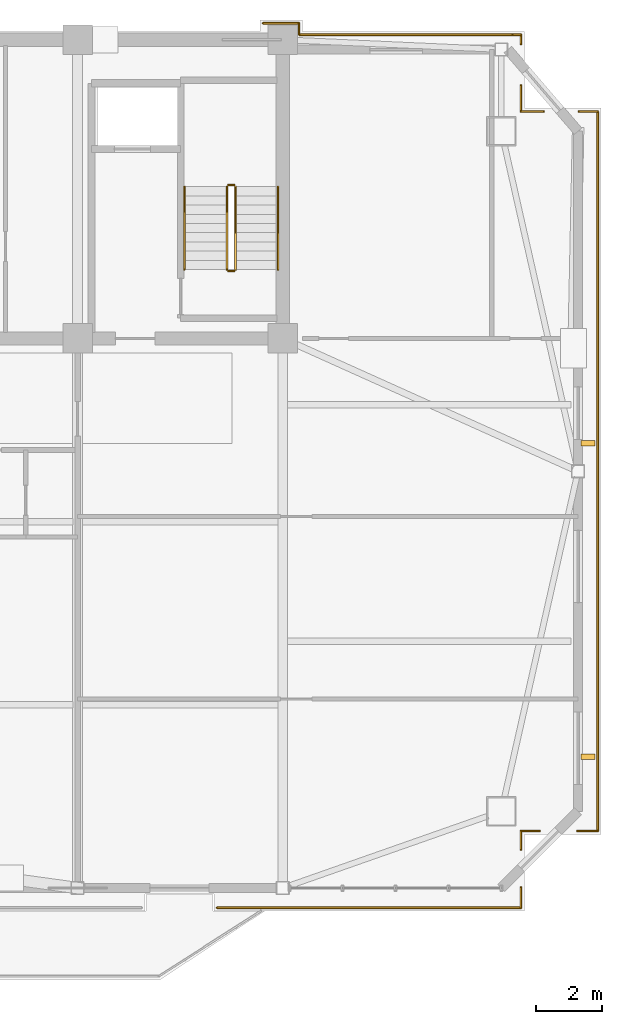
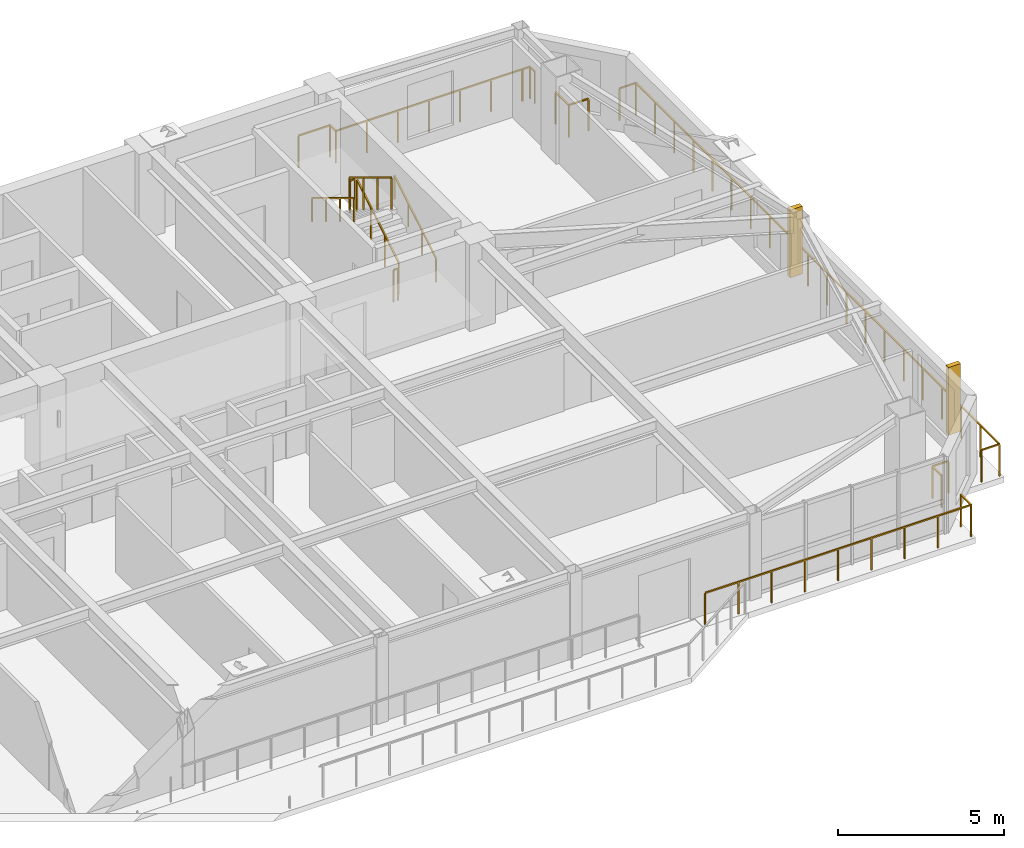
# One storey, part 14 of 14: 20 railings, 2 shading devices.
"""IFC4 building model written with IfcOpenShell, lengths in metres."""

from ifc_helpers import new_model, si_unit, direction, frame, origin, origin_2d, place, context, subcontext, project, spatial, rectangle, extrude, source, transform, mapped, material, type_object, element, save


model = new_model("IFC4")

# Units and contexts
model_context = context("Model", 3, precision=1e-05, world=origin(), true_north=direction((0.0, 1.0)))
body_context = subcontext(model_context, "Body", "Model", "MODEL_VIEW")
ifc_project = project(units=[si_unit("LENGTHUNIT", "METRE"), si_unit("AREAUNIT", "SQUARE_METRE"), si_unit("VOLUMEUNIT", "CUBIC_METRE"), si_unit("PLANEANGLEUNIT", "RADIAN"), si_unit("MASSUNIT", "GRAM", prefix="KILO")], contexts=[model_context])

# Site, building, storey
site_placement = place(None, origin())
site = spatial("IfcSite", under=ifc_project, at=site_placement, CompositionType="ELEMENT")
building_placement = place(site_placement, origin())
building = spatial("IfcBuilding", under=site, at=building_placement, Name="Giltprow Tower", CompositionType="ELEMENT")
storey_placement = place(building_placement, frame((0.0, 0.0, 314.199951171875)))
storey = spatial("IfcBuildingStorey", under=building, at=storey_placement, Name="L81", CompositionType="ELEMENT", Elevation=314.199951171875)

# Railings
ifc_material = material(Name="Anodized bronze", Category="metal")
railing_type_1 = type_object("IfcRailingType", Name="RAIL-BALC-GUARD-1200", PredefinedType="BALUSTRADE", material=ifc_material)
railing_1_placement = place(storey_placement, frame((60.14599609375, 44.362060546875, 0.0)))
element("IfcRailing", 1, at=railing_1_placement, inside=storey, type_object=railing_type_1, Name="L81 Corner Apron Edge Balustrade 1", PredefinedType="BALUSTRADE", context=body_context, shape_type="SweptSolid", body=[
    extrude(rectangle(XDim=0.048095703125, YDim=0.048095703125, at=origin_2d()), frame((0.0, 0.0, 1.17578125), z_axis=(0.0, -1.0, 0.0), x_axis=(1.0, 0.0, 0.0)), (0.0, 0.0, 1.0), 21.920166015625),
    extrude(rectangle(XDim=0.0419921875, YDim=0.0419921875, at=origin_2d()), origin(), (0.0, 0.0, 1.0), 1.15185546875),
    extrude(rectangle(XDim=0.0419921875, YDim=0.0419921875, at=origin_2d()), frame((0.0, -1.15380859375, 0.0)), (0.0, 0.0, 1.0), 1.15185546875),
    extrude(rectangle(XDim=0.0419921875, YDim=0.0419921875, at=origin_2d()), frame((0.0, -2.307373046875, 0.0)), (0.0, 0.0, 1.0), 1.15185546875),
    extrude(rectangle(XDim=0.0419921875, YDim=0.0419921875, at=origin_2d()), frame((0.0, -3.461181640625, 0.0)), (0.0, 0.0, 1.0), 1.15185546875),
    extrude(rectangle(XDim=0.0419921875, YDim=0.0419921875, at=origin_2d()), frame((0.0, -4.61474609375, 0.0)), (0.0, 0.0, 1.0), 1.15185546875),
    extrude(rectangle(XDim=0.0419921875, YDim=0.0419921875, at=origin_2d()), frame((0.0, -5.7685546875, 0.0)), (0.0, 0.0, 1.0), 1.15185546875),
    extrude(rectangle(XDim=0.0419921875, YDim=0.0419921875, at=origin_2d()), frame((0.0, -6.922119140625, 0.0)), (0.0, 0.0, 1.0), 1.15185546875),
    extrude(rectangle(XDim=0.0419921875, YDim=0.0419921875, at=origin_2d()), frame((0.0, -8.075927734375, 0.0)), (0.0, 0.0, 1.0), 1.15185546875),
    extrude(rectangle(XDim=0.0419921875, YDim=0.0419921875, at=origin_2d()), frame((0.0, -9.2294921875, 0.0)), (0.0, 0.0, 1.0), 1.15185546875),
    extrude(rectangle(XDim=0.0419921875, YDim=0.0419921875, at=origin_2d()), frame((0.0, -10.38330078125, 0.0)), (0.0, 0.0, 1.0), 1.15185546875),
    extrude(rectangle(XDim=0.0419921875, YDim=0.0419921875, at=origin_2d()), frame((0.0, -11.536865234375, 0.0)), (0.0, 0.0, 1.0), 1.15185546875),
    extrude(rectangle(XDim=0.0419921875, YDim=0.0419921875, at=origin_2d()), frame((0.0, -12.690673828125, 0.0)), (0.0, 0.0, 1.0), 1.15185546875),
    extrude(rectangle(XDim=0.0419921875, YDim=0.0419921875, at=origin_2d()), frame((0.0, -13.84423828125, 0.0)), (0.0, 0.0, 1.0), 1.15185546875),
    extrude(rectangle(XDim=0.0419921875, YDim=0.0419921875, at=origin_2d()), frame((0.0, -14.998046875, 0.0)), (0.0, 0.0, 1.0), 1.15185546875),
    extrude(rectangle(XDim=0.0419921875, YDim=0.0419921875, at=origin_2d()), frame((0.0, -16.151611328125, 0.0)), (0.0, 0.0, 1.0), 1.15185546875),
    extrude(rectangle(XDim=0.0419921875, YDim=0.0419921875, at=origin_2d()), frame((0.0, -17.305419921875, 0.0)), (0.0, 0.0, 1.0), 1.15185546875),
    extrude(rectangle(XDim=0.0419921875, YDim=0.0419921875, at=origin_2d()), frame((0.0, -18.458984375, 0.0)), (0.0, 0.0, 1.0), 1.15185546875),
    extrude(rectangle(XDim=0.0419921875, YDim=0.0419921875, at=origin_2d()), frame((0.0, -19.61279296875, 0.0)), (0.0, 0.0, 1.0), 1.15185546875),
    extrude(rectangle(XDim=0.0419921875, YDim=0.0419921875, at=origin_2d()), frame((0.0, -20.766357421875, 0.0)), (0.0, 0.0, 1.0), 1.15185546875),
    extrude(rectangle(XDim=0.0419921875, YDim=0.0419921875, at=origin_2d()), frame((0.0, -21.920166015625, 0.0)), (0.0, 0.0, 1.0), 1.15185546875),
])
railing_2_placement = place(storey_placement, frame((60.14599609375, 22.44189453125, 0.0)))
element("IfcRailing", 2, at=railing_2_placement, inside=storey, type_object=railing_type_1, Name="L81 Corner Apron Edge Balustrade 2", PredefinedType="BALUSTRADE", context=body_context, shape_type="SweptSolid", body=[
    extrude(rectangle(XDim=0.048095703125, YDim=0.048095703125, at=origin_2d()), frame((0.0, 0.0, 1.17578125), z_axis=(-1.0, 0.0, 0.0), x_axis=(0.0, -1.0, 0.0)), (0.0, 0.0, 1.0), 0.6201171875),
    extrude(rectangle(XDim=0.0419921875, YDim=0.0419921875, at=origin_2d()), origin(), (0.0, 0.0, 1.0), 1.15185546875),
    extrude(rectangle(XDim=0.0419921875, YDim=0.0419921875, at=origin_2d()), frame((-0.6201171875, 0.0, 0.0)), (0.0, 0.0, 1.0), 1.15185546875),
])
railing_3_placement = place(storey_placement, frame((58.365966796875, 22.44189453125, 0.0)))
element("IfcRailing", 3, at=railing_3_placement, inside=storey, type_object=railing_type_1, Name="L81 Corner Apron Edge Balustrade 3", PredefinedType="BALUSTRADE", context=body_context, shape_type="SweptSolid", body=[
    extrude(rectangle(XDim=0.048095703125, YDim=0.048095703125, at=origin_2d()), frame((0.0, 0.0, 1.17578125), z_axis=(-1.0, 0.0, 0.0), x_axis=(0.0, -1.0, 0.0)), (0.0, 0.0, 1.0), 0.557861328125),
    extrude(rectangle(XDim=0.0419921875, YDim=0.0419921875, at=origin_2d()), origin(), (0.0, 0.0, 1.0), 1.15185546875),
    extrude(rectangle(XDim=0.0419921875, YDim=0.0419921875, at=origin_2d()), frame((-0.557861328125, 0.0, 0.0)), (0.0, 0.0, 1.0), 1.15185546875),
])
railing_4_placement = place(storey_placement, frame((57.80810546875, 22.44189453125, 0.0)))
element("IfcRailing", 4, at=railing_4_placement, inside=storey, type_object=railing_type_1, Name="L81 Corner Apron Edge Balustrade 4", PredefinedType="BALUSTRADE", context=body_context, shape_type="SweptSolid", body=[
    extrude(rectangle(XDim=0.048095703125, YDim=0.048095703125, at=origin_2d()), frame((0.0, 0.0, 1.17578125), z_axis=(0.0, -1.0, 0.0), x_axis=(1.0, 0.0, 0.0)), (0.0, 0.0, 1.0), 0.557861328125),
    extrude(rectangle(XDim=0.0419921875, YDim=0.0419921875, at=origin_2d()), origin(), (0.0, 0.0, 1.0), 1.15185546875),
    extrude(rectangle(XDim=0.0419921875, YDim=0.0419921875, at=origin_2d()), frame((0.0, -0.557861328125, 0.0)), (0.0, 0.0, 1.0), 1.15185546875),
])
railing_5_placement = place(storey_placement, frame((57.80810546875, 20.72412109375, 0.0)))
element("IfcRailing", 5, at=railing_5_placement, inside=storey, type_object=railing_type_1, Name="L81 Corner Apron Edge Balustrade 5", PredefinedType="BALUSTRADE", context=body_context, shape_type="SweptSolid", body=[
    extrude(rectangle(XDim=0.048095703125, YDim=0.048095703125, at=origin_2d()), frame((0.0, 0.0, 1.17578125), z_axis=(0.0, -1.0, 0.0), x_axis=(1.0, 0.0, 0.0)), (0.0, 0.0, 1.0), 0.6201171875),
    extrude(rectangle(XDim=0.0419921875, YDim=0.0419921875, at=origin_2d()), origin(), (0.0, 0.0, 1.0), 1.15185546875),
    extrude(rectangle(XDim=0.0419921875, YDim=0.0419921875, at=origin_2d()), frame((0.0, -0.6201171875, 0.0)), (0.0, 0.0, 1.0), 1.15185546875),
])
railing_6_placement = place(storey_placement, frame((57.80810546875, 20.10400390625, 0.0)))
element("IfcRailing", 6, at=railing_6_placement, inside=storey, type_object=railing_type_1, Name="L81 Corner Apron Edge Balustrade 6", PredefinedType="BALUSTRADE", context=body_context, shape_type="SweptSolid", body=[
    extrude(rectangle(XDim=0.048095703125, YDim=0.048095703125, at=origin_2d()), frame((0.0, 0.0, 1.17578125), z_axis=(-1.0, 0.0, 0.0), x_axis=(0.0, -1.0, 0.0)), (0.0, 0.0, 1.0), 9.258056640625),
    extrude(rectangle(XDim=0.0419921875, YDim=0.0419921875, at=origin_2d()), origin(), (0.0, 0.0, 1.0), 1.15185546875),
    extrude(rectangle(XDim=0.0419921875, YDim=0.0419921875, at=origin_2d()), frame((-1.1572265625, 0.0, 0.0)), (0.0, 0.0, 1.0), 1.15185546875),
    extrude(rectangle(XDim=0.0419921875, YDim=0.0419921875, at=origin_2d()), frame((-2.314453125, 0.0, 0.0)), (0.0, 0.0, 1.0), 1.15185546875),
    extrude(rectangle(XDim=0.0419921875, YDim=0.0419921875, at=origin_2d()), frame((-3.4716796875, 0.0, 0.0)), (0.0, 0.0, 1.0), 1.15185546875),
    extrude(rectangle(XDim=0.0419921875, YDim=0.0419921875, at=origin_2d()), frame((-4.62890625, 0.0, 0.0)), (0.0, 0.0, 1.0), 1.15185546875),
    extrude(rectangle(XDim=0.0419921875, YDim=0.0419921875, at=origin_2d()), frame((-5.786376953125, 0.0, 0.0)), (0.0, 0.0, 1.0), 1.15185546875),
    extrude(rectangle(XDim=0.0419921875, YDim=0.0419921875, at=origin_2d()), frame((-6.943603515625, 0.0, 0.0)), (0.0, 0.0, 1.0), 1.15185546875),
    extrude(rectangle(XDim=0.0419921875, YDim=0.0419921875, at=origin_2d()), frame((-8.100830078125, 0.0, 0.0)), (0.0, 0.0, 1.0), 1.15185546875),
    extrude(rectangle(XDim=0.0419921875, YDim=0.0419921875, at=origin_2d()), frame((-9.258056640625, 0.0, 0.0)), (0.0, 0.0, 1.0), 1.15185546875),
])
railing_7_placement = place(storey_placement, frame((49.949951171875, 47.050048828125, 0.0)))
element("IfcRailing", 7, at=railing_7_placement, inside=storey, type_object=railing_type_1, Name="L81 Corner Apron Edge Balustrade 22", PredefinedType="BALUSTRADE", context=body_context, shape_type="SweptSolid", body=[
    extrude(rectangle(XDim=0.048095703125, YDim=0.048095703125, at=origin_2d()), frame((0.0, 0.0, 1.17578125), z_axis=(1.0, 0.0, 0.0), x_axis=(0.0, 1.0, 0.0)), (0.0, 0.0, 1.0), 1.10009765625),
    extrude(rectangle(XDim=0.0419921875, YDim=0.0419921875, at=origin_2d()), origin(), (0.0, 0.0, 1.0), 1.15185546875),
    extrude(rectangle(XDim=0.0419921875, YDim=0.0419921875, at=origin_2d()), frame((1.10009765625, 0.0, 0.0)), (0.0, 0.0, 1.0), 1.15185546875),
])
railing_8_placement = place(storey_placement, frame((51.050048828125, 47.050048828125, 0.0)))
element("IfcRailing", 8, at=railing_8_placement, inside=storey, type_object=railing_type_1, Name="L81 Corner Apron Edge Balustrade 23", PredefinedType="BALUSTRADE", context=body_context, shape_type="SweptSolid", body=[
    extrude(rectangle(XDim=0.048095703125, YDim=0.048095703125, at=origin_2d()), frame((0.0, 0.0, 1.17578125), z_axis=(0.0, -1.0, 0.0), x_axis=(1.0, 0.0, 0.0)), (0.0, 0.0, 1.0), 0.35009765625),
    extrude(rectangle(XDim=0.0419921875, YDim=0.0419921875, at=origin_2d()), origin(), (0.0, 0.0, 1.0), 1.15185546875),
    extrude(rectangle(XDim=0.0419921875, YDim=0.0419921875, at=origin_2d()), frame((0.0, -0.35009765625, 0.0)), (0.0, 0.0, 1.0), 1.15185546875),
])
railing_9_placement = place(storey_placement, frame((51.050048828125, 46.699951171875, 0.0)))
element("IfcRailing", 9, at=railing_9_placement, inside=storey, type_object=railing_type_1, Name="L81 Corner Apron Edge Balustrade 24", PredefinedType="BALUSTRADE", context=body_context, shape_type="SweptSolid", body=[
    extrude(rectangle(XDim=0.048095703125, YDim=0.048095703125, at=origin_2d()), frame((0.0, 0.0, 1.17578125), z_axis=(1.0, 0.0, 0.0), x_axis=(0.0, 1.0, 0.0)), (0.0, 0.0, 1.0), 6.48291015625),
    extrude(rectangle(XDim=0.0419921875, YDim=0.0419921875, at=origin_2d()), origin(), (0.0, 0.0, 1.0), 1.15185546875),
    extrude(rectangle(XDim=0.0419921875, YDim=0.0419921875, at=origin_2d()), frame((1.08056640625, 0.0, 0.0)), (0.0, 0.0, 1.0), 1.15185546875),
    extrude(rectangle(XDim=0.0419921875, YDim=0.0419921875, at=origin_2d()), frame((2.160888671875, 0.0, 0.0)), (0.0, 0.0, 1.0), 1.15185546875),
    extrude(rectangle(XDim=0.0419921875, YDim=0.0419921875, at=origin_2d()), frame((3.241455078125, 0.0, 0.0)), (0.0, 0.0, 1.0), 1.15185546875),
    extrude(rectangle(XDim=0.0419921875, YDim=0.0419921875, at=origin_2d()), frame((4.322021484375, 0.0, 0.0)), (0.0, 0.0, 1.0), 1.15185546875),
    extrude(rectangle(XDim=0.0419921875, YDim=0.0419921875, at=origin_2d()), frame((5.40234375, 0.0, 0.0)), (0.0, 0.0, 1.0), 1.15185546875),
    extrude(rectangle(XDim=0.0419921875, YDim=0.0419921875, at=origin_2d()), frame((6.48291015625, 0.0, 0.0)), (0.0, 0.0, 1.0), 1.15185546875),
])
railing_10_placement = place(storey_placement, frame((57.56201171875, 46.699951171875, 0.0)))
element("IfcRailing", 10, at=railing_10_placement, inside=storey, type_object=railing_type_1, Name="L81 Corner Apron Edge Balustrade 25", PredefinedType="BALUSTRADE", context=body_context, shape_type="SweptSolid", body=[
    extrude(rectangle(XDim=0.048095703125, YDim=0.048095703125, at=origin_2d()), frame((0.0, 0.0, 1.17578125), z_axis=(1.0, 0.0, 0.0), x_axis=(0.0, 1.0, 0.0)), (0.0, 0.0, 1.0), 0.24609375),
    extrude(rectangle(XDim=0.0419921875, YDim=0.0419921875, at=origin_2d()), origin(), (0.0, 0.0, 1.0), 1.15185546875),
    extrude(rectangle(XDim=0.0419921875, YDim=0.0419921875, at=origin_2d()), frame((0.24609375, 0.0, 0.0)), (0.0, 0.0, 1.0), 1.15185546875),
])
railing_11_placement = place(storey_placement, frame((57.80810546875, 46.699951171875, 0.0)))
element("IfcRailing", 11, at=railing_11_placement, inside=storey, type_object=railing_type_1, Name="L81 Corner Apron Edge Balustrade 26", PredefinedType="BALUSTRADE", context=body_context, shape_type="SweptSolid", body=[
    extrude(rectangle(XDim=0.048095703125, YDim=0.048095703125, at=origin_2d()), frame((0.0, 0.0, 1.17578125), z_axis=(0.0, -1.0, 0.0), x_axis=(1.0, 0.0, 0.0)), (0.0, 0.0, 1.0), 0.285888671875),
    extrude(rectangle(XDim=0.0419921875, YDim=0.0419921875, at=origin_2d()), origin(), (0.0, 0.0, 1.0), 1.15185546875),
    extrude(rectangle(XDim=0.0419921875, YDim=0.0419921875, at=origin_2d()), frame((0.0, -0.285888671875, 0.0)), (0.0, 0.0, 1.0), 1.15185546875),
])
railing_12_placement = place(storey_placement, frame((57.80810546875, 45.155029296875, 0.0)))
element("IfcRailing", 12, at=railing_12_placement, inside=storey, type_object=railing_type_1, Name="L81 Corner Apron Edge Balustrade 27", PredefinedType="BALUSTRADE", context=body_context, shape_type="SweptSolid", body=[
    extrude(rectangle(XDim=0.048095703125, YDim=0.048095703125, at=origin_2d()), frame((0.0, 0.0, 1.17578125), z_axis=(0.0, -1.0, 0.0), x_axis=(1.0, 0.0, 0.0)), (0.0, 0.0, 1.0), 0.79296875),
    extrude(rectangle(XDim=0.0419921875, YDim=0.0419921875, at=origin_2d()), origin(), (0.0, 0.0, 1.0), 1.15185546875),
    extrude(rectangle(XDim=0.0419921875, YDim=0.0419921875, at=origin_2d()), frame((0.0, -0.79296875, 0.0)), (0.0, 0.0, 1.0), 1.15185546875),
])
railing_13_placement = place(storey_placement, frame((57.80810546875, 44.362060546875, 0.0)))
element("IfcRailing", 13, at=railing_13_placement, inside=storey, type_object=railing_type_1, Name="L81 Corner Apron Edge Balustrade 28", PredefinedType="BALUSTRADE", context=body_context, shape_type="SweptSolid", body=[
    extrude(rectangle(XDim=0.048095703125, YDim=0.048095703125, at=origin_2d()), frame((0.0, 0.0, 1.17578125), z_axis=(1.0, 0.0, 0.0), x_axis=(0.0, 1.0, 0.0)), (0.0, 0.0, 1.0), 0.681884765625),
    extrude(rectangle(XDim=0.0419921875, YDim=0.0419921875, at=origin_2d()), origin(), (0.0, 0.0, 1.0), 1.15185546875),
    extrude(rectangle(XDim=0.0419921875, YDim=0.0419921875, at=origin_2d()), frame((0.681884765625, 0.0, 0.0)), (0.0, 0.0, 1.0), 1.15185546875),
])
railing_14_placement = place(storey_placement, frame((59.571044921875, 44.362060546875, 0.0)))
element("IfcRailing", 14, at=railing_14_placement, inside=storey, type_object=railing_type_1, Name="L81 Corner Apron Edge Balustrade 29", PredefinedType="BALUSTRADE", context=body_context, shape_type="SweptSolid", body=[
    extrude(rectangle(XDim=0.048095703125, YDim=0.048095703125, at=origin_2d()), frame((0.0, 0.0, 1.17578125), z_axis=(1.0, 0.0, 0.0), x_axis=(0.0, 1.0, 0.0)), (0.0, 0.0, 1.0), 0.574951171875),
    extrude(rectangle(XDim=0.0419921875, YDim=0.0419921875, at=origin_2d()), origin(), (0.0, 0.0, 1.0), 1.15185546875),
    extrude(rectangle(XDim=0.0419921875, YDim=0.0419921875, at=origin_2d()), frame((0.574951171875, 0.0, 0.0)), (0.0, 0.0, 1.0), 1.15185546875),
])
railing_type_2 = type_object("IfcRailingType", Name="RAIL-STAIR-GUARD-1200", PredefinedType="GUARDRAIL", material=ifc_material)
railing_15_placement = place(storey_placement, frame((49.110107421875, 39.550048828125, 0.170166015625)))
element("IfcRailing", 15, at=railing_15_placement, inside=storey, type_object=railing_type_2, Name="L81 ST-3 stair guard 1", PredefinedType="GUARDRAIL", context=body_context, shape_type="SweptSolid", body=[
    extrude(rectangle(XDim=0.048095703125, YDim=0.048095703125, at=origin_2d()), frame((0.0, 0.0, 1.17578125), z_axis=(0.0, 0.854821627497, 0.518921945155), x_axis=(-1.0, 0.0, 0.0)), (0.0, 0.0, 1.0), 2.947998046875),
    extrude(rectangle(XDim=0.0419921875, YDim=0.0419921875, at=origin_2d()), origin(), (0.0, 0.0, 1.0), 1.15185546875),
    extrude(rectangle(XDim=0.0419921875, YDim=0.0419921875, at=origin_2d()), frame((0.0, 0.840087890625, 0.510009765625)), (0.0, 0.0, 1.0), 1.15185546875),
    extrude(rectangle(XDim=0.0419921875, YDim=0.0419921875, at=origin_2d()), frame((0.0, 1.679931640625, 1.019775390625)), (0.0, 0.0, 1.0), 1.15185546875),
    extrude(rectangle(XDim=0.0419921875, YDim=0.0419921875, at=origin_2d()), frame((0.0, 2.52001953125, 1.52978515625)), (0.0, 0.0, 1.0), 1.15185546875),
])
railing_16_placement = place(storey_placement, frame((49.06005859375, 42.1201171875, 1.699951171875)))
element("IfcRailing", 16, at=railing_16_placement, inside=storey, type_object=railing_type_2, Name="L81 ST-3 stair guard 2", PredefinedType="GUARDRAIL", context=body_context, shape_type="SweptSolid", body=[
    extrude(rectangle(XDim=0.048095703125, YDim=0.048095703125, at=origin_2d()), frame((0.0, 0.0, 1.17578125), z_axis=(-1.0, 0.0, 0.0), x_axis=(0.0, -1.0, 0.0)), (0.0, 0.0, 1.0), 0.16015625),
    extrude(rectangle(XDim=0.0419921875, YDim=0.0419921875, at=origin_2d()), origin(), (0.0, 0.0, 1.0), 1.15185546875),
    extrude(rectangle(XDim=0.0419921875, YDim=0.0419921875, at=origin_2d()), frame((-0.16015625, 0.0, 0.0)), (0.0, 0.0, 1.0), 1.15185546875),
])
railing_17_placement = place(storey_placement, frame((48.85009765625, 42.070068359375, 1.8701171875)))
element("IfcRailing", 17, at=railing_17_placement, inside=storey, type_object=railing_type_2, Name="L81 ST-3 stair guard 3", PredefinedType="GUARDRAIL", context=body_context, shape_type="SweptSolid", body=[
    extrude(rectangle(XDim=0.048095703125, YDim=0.048095703125, at=origin_2d()), frame((0.0, 0.0, 1.17578125), z_axis=(0.0, -0.85478489116, 0.518982456201), x_axis=(1.0, 0.0, 0.0)), (0.0, 0.0, 1.0), 2.9482421875),
    extrude(rectangle(XDim=0.0419921875, YDim=0.0419921875, at=origin_2d()), origin(), (0.0, 0.0, 1.0), 1.15185546875),
    extrude(rectangle(XDim=0.0419921875, YDim=0.0419921875, at=origin_2d()), frame((0.0, -0.840087890625, 0.510009765625)), (0.0, 0.0, 1.0), 1.15185546875),
    extrude(rectangle(XDim=0.0419921875, YDim=0.0419921875, at=origin_2d()), frame((0.0, -1.679931640625, 1.02001953125)), (0.0, 0.0, 1.0), 1.15185546875),
    extrude(rectangle(XDim=0.0419921875, YDim=0.0419921875, at=origin_2d()), frame((0.0, -2.52001953125, 1.530029296875)), (0.0, 0.0, 1.0), 1.15185546875),
])
railing_18_placement = place(storey_placement, frame((49.06005859375, 39.5, 0.0)))
element("IfcRailing", 18, at=railing_18_placement, inside=storey, type_object=railing_type_2, Name="L81 ST-3 stair guard 4", PredefinedType="GUARDRAIL", context=body_context, shape_type="SweptSolid", body=[
    extrude(rectangle(XDim=0.048095703125, YDim=0.048095703125, at=origin_2d()), frame((0.0, 0.0, 1.17578125), z_axis=(-1.0, 0.0, 0.0), x_axis=(0.0, -1.0, 0.0)), (0.0, 0.0, 1.0), 0.16015625),
    extrude(rectangle(XDim=0.0419921875, YDim=0.0419921875, at=origin_2d()), origin(), (0.0, 0.0, 1.0), 1.15185546875),
    extrude(rectangle(XDim=0.0419921875, YDim=0.0419921875, at=origin_2d()), frame((-0.16015625, 0.0, 0.0)), (0.0, 0.0, 1.0), 1.15185546875),
])
railing_type_3 = type_object("IfcRailingType", Name="RAIL-STAIR-HAND-900", PredefinedType="HANDRAIL", material=ifc_material)
railing_19_placement = place(storey_placement, frame((50.409912109375, 39.550048828125, 0.170166015625)))
element("IfcRailing", 19, at=railing_19_placement, inside=storey, type_object=railing_type_3, Name="L81 ST-3 stair handrail 1", PredefinedType="HANDRAIL", context=body_context, shape_type="SweptSolid", body=[
    extrude(rectangle(XDim=0.048095703125, YDim=0.048095703125, at=origin_2d()), frame((0.0, 0.0, 0.8759765625), z_axis=(0.0, 0.854821627497, 0.518921945155), x_axis=(-1.0, 0.0, 0.0)), (0.0, 0.0, 1.0), 2.947998046875),
    extrude(rectangle(XDim=0.0419921875, YDim=0.0419921875, at=origin_2d()), origin(), (0.0, 0.0, 1.0), 0.851806640625),
    extrude(rectangle(XDim=0.0419921875, YDim=0.0419921875, at=origin_2d()), frame((0.0, 0.840087890625, 0.510009765625)), (0.0, 0.0, 1.0), 0.851806640625),
    extrude(rectangle(XDim=0.0419921875, YDim=0.0419921875, at=origin_2d()), frame((0.0, 1.679931640625, 1.019775390625)), (0.0, 0.0, 1.0), 0.851806640625),
    extrude(rectangle(XDim=0.0419921875, YDim=0.0419921875, at=origin_2d()), frame((0.0, 2.52001953125, 1.52978515625)), (0.0, 0.0, 1.0), 0.851806640625),
])
railing_20_placement = place(storey_placement, frame((47.550048828125, 42.070068359375, 1.8701171875)))
element("IfcRailing", 20, at=railing_20_placement, inside=storey, type_object=railing_type_3, Name="L81 ST-3 stair handrail 2", PredefinedType="HANDRAIL", context=body_context, shape_type="SweptSolid", body=[
    extrude(rectangle(XDim=0.048095703125, YDim=0.048095703125, at=origin_2d()), frame((0.0, 0.0, 0.8759765625), z_axis=(0.0, -0.85478489116, 0.518982456201), x_axis=(1.0, 0.0, 0.0)), (0.0, 0.0, 1.0), 2.9482421875),
    extrude(rectangle(XDim=0.0419921875, YDim=0.0419921875, at=origin_2d()), origin(), (0.0, 0.0, 1.0), 0.851806640625),
    extrude(rectangle(XDim=0.0419921875, YDim=0.0419921875, at=origin_2d()), frame((0.0, -0.840087890625, 0.510009765625)), (0.0, 0.0, 1.0), 0.851806640625),
    extrude(rectangle(XDim=0.0419921875, YDim=0.0419921875, at=origin_2d()), frame((0.0, -1.679931640625, 1.02001953125)), (0.0, 0.0, 1.0), 0.851806640625),
    extrude(rectangle(XDim=0.0419921875, YDim=0.0419921875, at=origin_2d()), frame((0.0, -2.52001953125, 1.530029296875)), (0.0, 0.0, 1.0), 0.851806640625),
])

# Shading devices
shading_device_type = type_object("IfcShadingDeviceType", Name="SHD-FIN-420", PredefinedType="USERDEFINED", material=ifc_material)
shared_shape = source(origin(), body_context, "Body", "SweptSolid", [
    extrude(rectangle(XDim=0.419921875, YDim=0.159912109375, at=origin_2d()), origin(), (0.0, 0.0, 1.0), 2.5),
])
for number, where, z_axis, x_axis, name in (
    (21, (59.845947265625, 24.7041015625, 0.35009765625), (0.0, 0.0, 1.0), (1.0, 0.0, 0.0), "L81 E Bronze Vertical Fin 1-1"),
    (22, (59.845947265625, 34.257080078125, 0.35009765625), (0.0, 0.0, 1.0), (1.0, 0.0, 0.0), "L81 E Bronze Vertical Fin 2-1"),
):
    element("IfcShadingDevice", number, at=place(storey_placement, frame(where, z_axis=z_axis, x_axis=x_axis)), inside=storey, type_object=shading_device_type, Name=name, ObjectType="FIN", PredefinedType="USERDEFINED", context=body_context, shape_type="MappedRepresentation", body=[
        mapped(shared_shape, transform((0.0, 0.0, 0.0), x_axis=(1.0, 0.0, 0.0), y_axis=(0.0, 1.0, 0.0), z_axis=(0.0, 0.0, 1.0), scale=1.0)),
    ])

save(model, "model.ifc")
